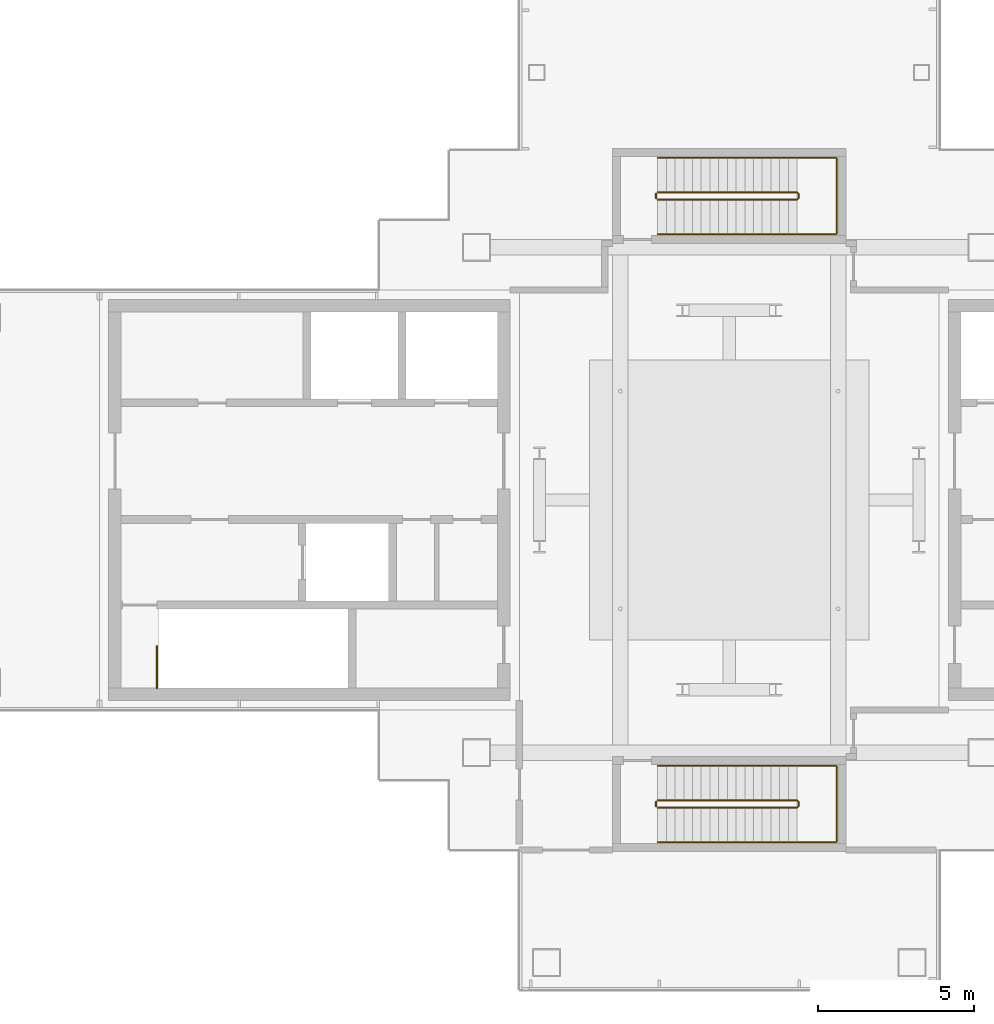
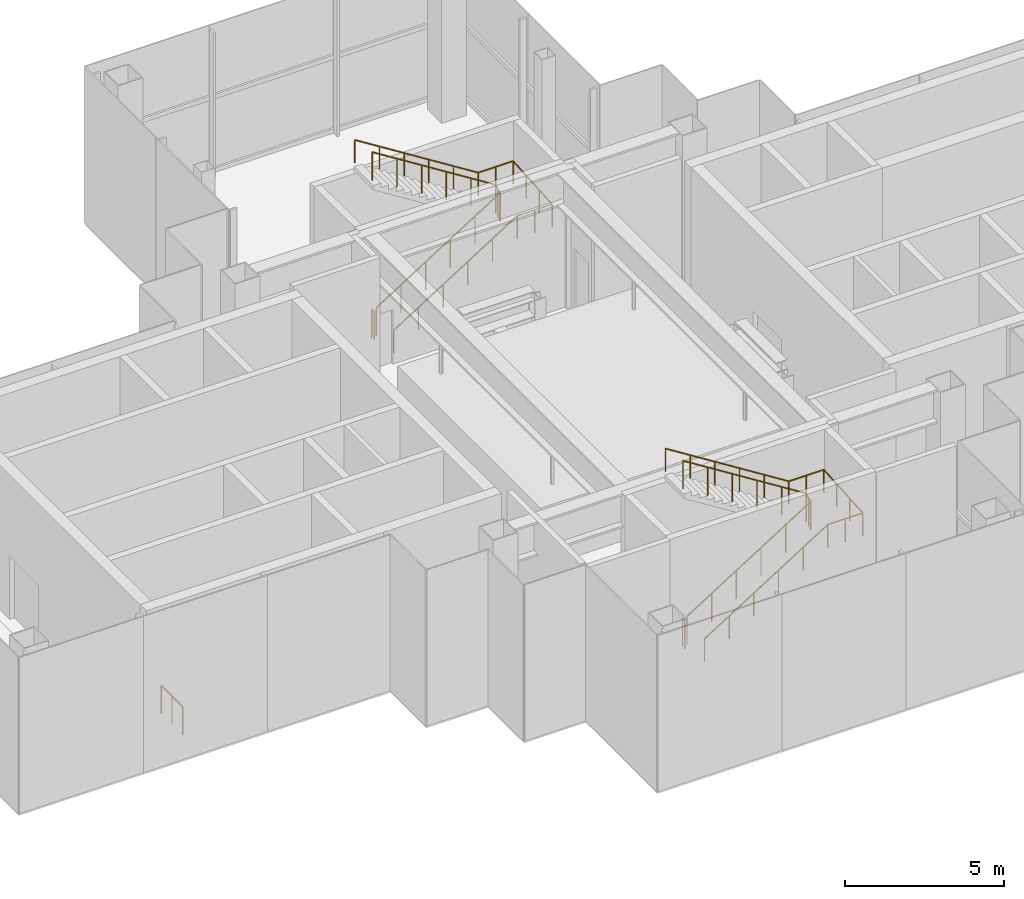
# One storey, part 14 of 17: 7 railings.
"""IFC4 building model written with IfcOpenShell, lengths in metres."""

from ifc_helpers import new_model, si_unit, direction, frame, origin, origin_2d, place, context, subcontext, project, spatial, circle, extrude, material, type_object, element, save


model = new_model("IFC4")

# Units and contexts
model_context = context("Model", 3, precision=1e-05, world=origin(), true_north=direction((0.0, 1.0)))
body_context = subcontext(model_context, "Body", "Model", "MODEL_VIEW")
ifc_project = project(units=[si_unit("LENGTHUNIT", "METRE"), si_unit("AREAUNIT", "SQUARE_METRE"), si_unit("VOLUMEUNIT", "CUBIC_METRE"), si_unit("PLANEANGLEUNIT", "RADIAN"), si_unit("MASSUNIT", "GRAM", prefix="KILO")], contexts=[model_context])

# Site, building, storey
site_placement = place(None, origin())
site = spatial("IfcSite", under=ifc_project, at=site_placement, CompositionType="ELEMENT")
building_placement = place(site_placement, origin())
building = spatial("IfcBuilding", under=site, at=building_placement, Name="Shamsa Quay Exchange Towers", CompositionType="ELEMENT")
storey_placement = place(building_placement, frame((0.0, 0.0, 278.300048828125)))
storey = spatial("IfcBuildingStorey", under=building, at=storey_placement, Name="L67", CompositionType="ELEMENT", Elevation=278.300048828125)

# Railings
ifc_material = material(Name="Stainless steel", Category="steel")
railing_type_1 = type_object("IfcRailingType", Name="STAIR GUARD 1100", PredefinedType="GUARDRAIL", material=ifc_material)
railing_1_placement = place(storey_placement, frame((15.35009765625, -6.050048828125, 0.0)))
element("IfcRailing", 1, at=railing_1_placement, inside=storey, type_object=railing_type_1, Name="L67 ST4 top well guard 1", PredefinedType="GUARDRAIL", context=body_context, shape_type="SweptSolid", body=[
    extrude(circle(Radius=0.02392578125, at=origin_2d()), frame((0.0, 0.0, 1.076171875), z_axis=(0.0, 1.0, 0.0), x_axis=(-1.0, 0.0, 0.0)), (0.0, 0.0, 1.0), 1.35009765625),
    extrude(circle(Radius=0.02099609375, at=origin_2d()), origin(), (0.0, 0.0, 1.0), 1.052001953125),
    extrude(circle(Radius=0.02099609375, at=origin_2d()), frame((0.0, 0.675048828125, 0.0)), (0.0, 0.0, 1.0), 1.052001953125),
    extrude(circle(Radius=0.02099609375, at=origin_2d()), frame((0.0, 1.35009765625, 0.0)), (0.0, 0.0, 1.0), 1.052001953125),
])
railing_2_placement = place(storey_placement, frame((31.449951171875, 9.64990234375, 0.176513671875)))
element("IfcRailing", 2, at=railing_2_placement, inside=storey, type_object=railing_type_1, Name="L67 RS3 stair guard 1", PredefinedType="GUARDRAIL", context=body_context, shape_type="SweptSolid", body=[
    extrude(circle(Radius=0.02392578125, at=origin_2d()), frame((0.0, 0.0, 1.076171875), z_axis=(0.845997938375, 0.0, 0.533186166611), x_axis=(0.0, 1.0, 0.0)), (0.0, 0.0, 1.0), 5.29541015625),
    extrude(circle(Radius=0.02392578125, at=origin_2d()), frame((4.47998046875, 0.0, 3.8994140625), z_axis=(0.707106781187, 0.707106781187, 0.0), x_axis=(-0.707106781187, 0.707106781187, 0.0)), (0.0, 0.0, 1.0), 0.07080078125),
    extrude(circle(Radius=0.02392578125, at=origin_2d()), frame((4.530029296875, 0.050048828125, 3.8994140625), z_axis=(0.0, 1.0, 0.0), x_axis=(-1.0, 0.0, 0.0)), (0.0, 0.0, 1.0), 0.150146484375),
    extrude(circle(Radius=0.02392578125, at=origin_2d()), frame((4.530029296875, 0.2001953125, 3.8994140625), z_axis=(-0.263260079301, 0.261975883792, 0.928473352853), x_axis=(-0.705375805398, -0.708833529934, 0.0)), (0.0, 0.0, 1.0), 0.190185546875),
    extrude(circle(Radius=0.02392578125, at=origin_2d()), frame((4.47998046875, 0.25, 4.076171875), z_axis=(-0.845997938375, 0.0, 0.533186166611), x_axis=(0.0, -1.0, 0.0)), (0.0, 0.0, 1.0), 5.29541015625),
    extrude(circle(Radius=0.02099609375, at=origin_2d()), origin(), (0.0, 0.0, 1.0), 1.052001953125),
    extrude(circle(Radius=0.02099609375, at=origin_2d()), frame((0.89599609375, 0.0, 0.564697265625)), (0.0, 0.0, 1.0), 1.052001953125),
    extrude(circle(Radius=0.02099609375, at=origin_2d()), frame((1.7919921875, 0.0, 1.12939453125)), (0.0, 0.0, 1.0), 1.052001953125),
    extrude(circle(Radius=0.02099609375, at=origin_2d()), frame((2.68798828125, 0.0, 1.694091796875)), (0.0, 0.0, 1.0), 1.052001953125),
    extrude(circle(Radius=0.02099609375, at=origin_2d()), frame((3.583984375, 0.0, 2.2587890625)), (0.0, 0.0, 1.0), 1.052001953125),
    extrude(circle(Radius=0.02099609375, at=origin_2d()), frame((4.47998046875, 0.0, 2.823486328125)), (0.0, 0.0, 1.0), 1.052001953125),
    extrude(circle(Radius=0.02099609375, at=origin_2d()), frame((4.530029296875, 0.050048828125, 2.823486328125)), (0.0, 0.0, 1.0), 1.052001953125),
    extrude(circle(Radius=0.02099609375, at=origin_2d()), frame((4.530029296875, 0.2001953125, 2.823486328125)), (0.0, 0.0, 1.0), 1.052001953125),
    extrude(circle(Radius=0.02099609375, at=origin_2d()), frame((4.47998046875, 0.25, 3.0)), (0.0, 0.0, 1.0), 1.052001953125),
    extrude(circle(Radius=0.02099609375, at=origin_2d()), frame((3.583984375, 0.25, 3.564697265625)), (0.0, 0.0, 1.0), 1.052001953125),
    extrude(circle(Radius=0.02099609375, at=origin_2d()), frame((2.68798828125, 0.25, 4.12939453125)), (0.0, 0.0, 1.0), 1.052001953125),
    extrude(circle(Radius=0.02099609375, at=origin_2d()), frame((1.7919921875, 0.25, 4.694091796875)), (0.0, 0.0, 1.0), 1.052001953125),
    extrude(circle(Radius=0.02099609375, at=origin_2d()), frame((0.89599609375, 0.25, 5.2587890625)), (0.0, 0.0, 1.0), 1.052001953125),
    extrude(circle(Radius=0.02099609375, at=origin_2d()), frame((0.0, 0.25, 5.823486328125)), (0.0, 0.0, 1.0), 1.052001953125),
])
railing_3_placement = place(storey_placement, frame((31.39990234375, 9.699951171875, 0.0)))
element("IfcRailing", 3, at=railing_3_placement, inside=storey, type_object=railing_type_1, Name="L67 RS3 stair guard 2", PredefinedType="GUARDRAIL", context=body_context, shape_type="SweptSolid", body=[
    extrude(circle(Radius=0.02392578125, at=origin_2d()), frame((0.0, 0.0, 1.076171875), z_axis=(0.0, 1.0, 0.0), x_axis=(-1.0, 0.0, 0.0)), (0.0, 0.0, 1.0), 0.150146484375),
    extrude(circle(Radius=0.02099609375, at=origin_2d()), origin(), (0.0, 0.0, 1.0), 1.052001953125),
    extrude(circle(Radius=0.02099609375, at=origin_2d()), frame((0.0, 0.150146484375, 0.0)), (0.0, 0.0, 1.0), 1.052001953125),
])
railing_4_placement = place(storey_placement, frame((31.449951171875, -9.89990234375, 0.176513671875)))
element("IfcRailing", 4, at=railing_4_placement, inside=storey, type_object=railing_type_1, Name="L67 RS4 stair guard 1", PredefinedType="GUARDRAIL", context=body_context, shape_type="SweptSolid", body=[
    extrude(circle(Radius=0.02392578125, at=origin_2d()), frame((0.0, 0.0, 1.076171875), z_axis=(0.845997938375, 0.0, 0.533186166611), x_axis=(0.0, 1.0, 0.0)), (0.0, 0.0, 1.0), 5.29541015625),
    extrude(circle(Radius=0.02392578125, at=origin_2d()), frame((4.47998046875, 0.0, 3.8994140625), z_axis=(0.708833529934, 0.705375805398, 0.0), x_axis=(-0.705375805398, 0.708833529934, 0.0)), (0.0, 0.0, 1.0), 0.070556640625),
    extrude(circle(Radius=0.02392578125, at=origin_2d()), frame((4.530029296875, 0.0498046875, 3.8994140625), z_axis=(0.0, 1.0, 0.0), x_axis=(-1.0, 0.0, 0.0)), (0.0, 0.0, 1.0), 0.150146484375),
    extrude(circle(Radius=0.02392578125, at=origin_2d()), frame((4.530029296875, 0.199951171875, 3.8994140625), z_axis=(-0.263171338983, 0.263171338983, 0.928160380902), x_axis=(-0.707106781187, -0.707106781187, 0.0)), (0.0, 0.0, 1.0), 0.190185546875),
    extrude(circle(Radius=0.02392578125, at=origin_2d()), frame((4.47998046875, 0.25, 4.076171875), z_axis=(-0.845997938375, 0.0, 0.533186166611), x_axis=(0.0, -1.0, 0.0)), (0.0, 0.0, 1.0), 5.29541015625),
    extrude(circle(Radius=0.02099609375, at=origin_2d()), origin(), (0.0, 0.0, 1.0), 1.052001953125),
    extrude(circle(Radius=0.02099609375, at=origin_2d()), frame((0.89599609375, 0.0, 0.564697265625)), (0.0, 0.0, 1.0), 1.052001953125),
    extrude(circle(Radius=0.02099609375, at=origin_2d()), frame((1.7919921875, 0.0, 1.12939453125)), (0.0, 0.0, 1.0), 1.052001953125),
    extrude(circle(Radius=0.02099609375, at=origin_2d()), frame((2.68798828125, 0.0, 1.694091796875)), (0.0, 0.0, 1.0), 1.052001953125),
    extrude(circle(Radius=0.02099609375, at=origin_2d()), frame((3.583984375, 0.0, 2.2587890625)), (0.0, 0.0, 1.0), 1.052001953125),
    extrude(circle(Radius=0.02099609375, at=origin_2d()), frame((4.47998046875, 0.0, 2.823486328125)), (0.0, 0.0, 1.0), 1.052001953125),
    extrude(circle(Radius=0.02099609375, at=origin_2d()), frame((4.530029296875, 0.0498046875, 2.823486328125)), (0.0, 0.0, 1.0), 1.052001953125),
    extrude(circle(Radius=0.02099609375, at=origin_2d()), frame((4.530029296875, 0.199951171875, 2.823486328125)), (0.0, 0.0, 1.0), 1.052001953125),
    extrude(circle(Radius=0.02099609375, at=origin_2d()), frame((4.47998046875, 0.25, 3.0)), (0.0, 0.0, 1.0), 1.052001953125),
    extrude(circle(Radius=0.02099609375, at=origin_2d()), frame((3.583984375, 0.25, 3.564697265625)), (0.0, 0.0, 1.0), 1.052001953125),
    extrude(circle(Radius=0.02099609375, at=origin_2d()), frame((2.68798828125, 0.25, 4.12939453125)), (0.0, 0.0, 1.0), 1.052001953125),
    extrude(circle(Radius=0.02099609375, at=origin_2d()), frame((1.7919921875, 0.25, 4.694091796875)), (0.0, 0.0, 1.0), 1.052001953125),
    extrude(circle(Radius=0.02099609375, at=origin_2d()), frame((0.89599609375, 0.25, 5.2587890625)), (0.0, 0.0, 1.0), 1.052001953125),
    extrude(circle(Radius=0.02099609375, at=origin_2d()), frame((0.0, 0.25, 5.823486328125)), (0.0, 0.0, 1.0), 1.052001953125),
])
railing_5_placement = place(storey_placement, frame((31.39990234375, -9.85009765625, 0.0)))
element("IfcRailing", 5, at=railing_5_placement, inside=storey, type_object=railing_type_1, Name="L67 RS4 stair guard 2", PredefinedType="GUARDRAIL", context=body_context, shape_type="SweptSolid", body=[
    extrude(circle(Radius=0.02392578125, at=origin_2d()), frame((0.0, 0.0, 1.076171875), z_axis=(0.0, 1.0, 0.0), x_axis=(-1.0, 0.0, 0.0)), (0.0, 0.0, 1.0), 0.150146484375),
    extrude(circle(Radius=0.02099609375, at=origin_2d()), origin(), (0.0, 0.0, 1.0), 1.052001953125),
    extrude(circle(Radius=0.02099609375, at=origin_2d()), frame((0.0, 0.150146484375, 0.0)), (0.0, 0.0, 1.0), 1.052001953125),
])
railing_type_2 = type_object("IfcRailingType", Name="STAIR HANDRAIL 900", PredefinedType="HANDRAIL", material=ifc_material)
railing_6_placement = place(storey_placement, frame((31.449951171875, 8.550048828125, 0.176513671875)))
element("IfcRailing", 6, at=railing_6_placement, inside=storey, type_object=railing_type_2, Name="L67 RS3 stair handrail 1", PredefinedType="HANDRAIL", context=body_context, shape_type="SweptSolid", body=[
    extrude(circle(Radius=0.02392578125, at=origin_2d()), frame((0.0, 0.0, 0.8759765625), z_axis=(0.845997938375, 0.0, 0.533186166611), x_axis=(0.0, 1.0, 0.0)), (0.0, 0.0, 1.0), 5.29541015625),
    extrude(circle(Radius=0.02392578125, at=origin_2d()), frame((4.47998046875, 0.0, 3.69921875), z_axis=(1.0, 0.0, 0.0), x_axis=(0.0, 1.0, 0.0)), (0.0, 0.0, 1.0), 1.27001953125),
    extrude(circle(Radius=0.02392578125, at=origin_2d()), frame((5.75, 0.0, 3.69921875), z_axis=(0.0, 0.997414615901, 0.071861561265), x_axis=(-1.0, 0.0, 0.0)), (0.0, 0.0, 1.0), 2.456298828125),
    extrude(circle(Radius=0.02392578125, at=origin_2d()), frame((5.75, 2.449951171875, 3.8759765625), z_axis=(-1.0, 0.0, 0.0), x_axis=(0.0, -1.0, 0.0)), (0.0, 0.0, 1.0), 1.27001953125),
    extrude(circle(Radius=0.02392578125, at=origin_2d()), frame((4.47998046875, 2.449951171875, 3.8759765625), z_axis=(-0.845997938375, 0.0, 0.533186166611), x_axis=(0.0, -1.0, 0.0)), (0.0, 0.0, 1.0), 5.29541015625),
    extrude(circle(Radius=0.02099609375, at=origin_2d()), origin(), (0.0, 0.0, 1.0), 0.851806640625),
    extrude(circle(Radius=0.02099609375, at=origin_2d()), frame((0.89599609375, 0.0, 0.564697265625)), (0.0, 0.0, 1.0), 0.851806640625),
    extrude(circle(Radius=0.02099609375, at=origin_2d()), frame((1.7919921875, 0.0, 1.12939453125)), (0.0, 0.0, 1.0), 0.851806640625),
    extrude(circle(Radius=0.02099609375, at=origin_2d()), frame((2.68798828125, 0.0, 1.694091796875)), (0.0, 0.0, 1.0), 0.851806640625),
    extrude(circle(Radius=0.02099609375, at=origin_2d()), frame((3.583984375, 0.0, 2.2587890625)), (0.0, 0.0, 1.0), 0.851806640625),
    extrude(circle(Radius=0.02099609375, at=origin_2d()), frame((4.47998046875, 0.0, 2.823486328125)), (0.0, 0.0, 1.0), 0.851806640625),
    extrude(circle(Radius=0.02099609375, at=origin_2d()), frame((5.114990234375, 0.0, 2.823486328125)), (0.0, 0.0, 1.0), 0.851806640625),
    extrude(circle(Radius=0.02099609375, at=origin_2d()), frame((5.75, 0.0, 2.823486328125)), (0.0, 0.0, 1.0), 0.851806640625),
    extrude(circle(Radius=0.02099609375, at=origin_2d()), frame((5.75, 0.816650390625, 2.88232421875)), (0.0, 0.0, 1.0), 0.851806640625),
    extrude(circle(Radius=0.02099609375, at=origin_2d()), frame((5.75, 1.63330078125, 2.941162109375)), (0.0, 0.0, 1.0), 0.851806640625),
    extrude(circle(Radius=0.02099609375, at=origin_2d()), frame((5.75, 2.449951171875, 3.0)), (0.0, 0.0, 1.0), 0.851806640625),
    extrude(circle(Radius=0.02099609375, at=origin_2d()), frame((5.114990234375, 2.449951171875, 3.0)), (0.0, 0.0, 1.0), 0.851806640625),
    extrude(circle(Radius=0.02099609375, at=origin_2d()), frame((4.47998046875, 2.449951171875, 3.0)), (0.0, 0.0, 1.0), 0.851806640625),
    extrude(circle(Radius=0.02099609375, at=origin_2d()), frame((3.583984375, 2.449951171875, 3.564697265625)), (0.0, 0.0, 1.0), 0.851806640625),
    extrude(circle(Radius=0.02099609375, at=origin_2d()), frame((2.68798828125, 2.449951171875, 4.12939453125)), (0.0, 0.0, 1.0), 0.851806640625),
    extrude(circle(Radius=0.02099609375, at=origin_2d()), frame((1.7919921875, 2.449951171875, 4.694091796875)), (0.0, 0.0, 1.0), 0.851806640625),
    extrude(circle(Radius=0.02099609375, at=origin_2d()), frame((0.89599609375, 2.449951171875, 5.2587890625)), (0.0, 0.0, 1.0), 0.851806640625),
    extrude(circle(Radius=0.02099609375, at=origin_2d()), frame((0.0, 2.449951171875, 5.823486328125)), (0.0, 0.0, 1.0), 0.851806640625),
])
railing_7_placement = place(storey_placement, frame((31.449951171875, -11.0, 0.176513671875)))
element("IfcRailing", 7, at=railing_7_placement, inside=storey, type_object=railing_type_2, Name="L67 RS4 stair handrail 1", PredefinedType="HANDRAIL", context=body_context, shape_type="SweptSolid", body=[
    extrude(circle(Radius=0.02392578125, at=origin_2d()), frame((0.0, 0.0, 0.8759765625), z_axis=(0.845997938375, 0.0, 0.533186166611), x_axis=(0.0, 1.0, 0.0)), (0.0, 0.0, 1.0), 5.29541015625),
    extrude(circle(Radius=0.02392578125, at=origin_2d()), frame((4.47998046875, 0.0, 3.69921875), z_axis=(1.0, 0.0, 0.0), x_axis=(0.0, 1.0, 0.0)), (0.0, 0.0, 1.0), 1.27001953125),
    extrude(circle(Radius=0.02392578125, at=origin_2d()), frame((5.75, 0.0, 3.69921875), z_axis=(0.0, 0.997414615901, 0.071861561265), x_axis=(-1.0, 0.0, 0.0)), (0.0, 0.0, 1.0), 2.456298828125),
    extrude(circle(Radius=0.02392578125, at=origin_2d()), frame((5.75, 2.449951171875, 3.8759765625), z_axis=(-1.0, 0.0, 0.0), x_axis=(0.0, -1.0, 0.0)), (0.0, 0.0, 1.0), 1.27001953125),
    extrude(circle(Radius=0.02392578125, at=origin_2d()), frame((4.47998046875, 2.449951171875, 3.8759765625), z_axis=(-0.845997938375, 0.0, 0.533186166611), x_axis=(0.0, -1.0, 0.0)), (0.0, 0.0, 1.0), 5.29541015625),
    extrude(circle(Radius=0.02099609375, at=origin_2d()), origin(), (0.0, 0.0, 1.0), 0.851806640625),
    extrude(circle(Radius=0.02099609375, at=origin_2d()), frame((0.89599609375, 0.0, 0.564697265625)), (0.0, 0.0, 1.0), 0.851806640625),
    extrude(circle(Radius=0.02099609375, at=origin_2d()), frame((1.7919921875, 0.0, 1.12939453125)), (0.0, 0.0, 1.0), 0.851806640625),
    extrude(circle(Radius=0.02099609375, at=origin_2d()), frame((2.68798828125, 0.0, 1.694091796875)), (0.0, 0.0, 1.0), 0.851806640625),
    extrude(circle(Radius=0.02099609375, at=origin_2d()), frame((3.583984375, 0.0, 2.2587890625)), (0.0, 0.0, 1.0), 0.851806640625),
    extrude(circle(Radius=0.02099609375, at=origin_2d()), frame((4.47998046875, 0.0, 2.823486328125)), (0.0, 0.0, 1.0), 0.851806640625),
    extrude(circle(Radius=0.02099609375, at=origin_2d()), frame((5.114990234375, 0.0, 2.823486328125)), (0.0, 0.0, 1.0), 0.851806640625),
    extrude(circle(Radius=0.02099609375, at=origin_2d()), frame((5.75, 0.0, 2.823486328125)), (0.0, 0.0, 1.0), 0.851806640625),
    extrude(circle(Radius=0.02099609375, at=origin_2d()), frame((5.75, 0.816650390625, 2.88232421875)), (0.0, 0.0, 1.0), 0.851806640625),
    extrude(circle(Radius=0.02099609375, at=origin_2d()), frame((5.75, 1.63330078125, 2.941162109375)), (0.0, 0.0, 1.0), 0.851806640625),
    extrude(circle(Radius=0.02099609375, at=origin_2d()), frame((5.75, 2.449951171875, 3.0)), (0.0, 0.0, 1.0), 0.851806640625),
    extrude(circle(Radius=0.02099609375, at=origin_2d()), frame((5.114990234375, 2.449951171875, 3.0)), (0.0, 0.0, 1.0), 0.851806640625),
    extrude(circle(Radius=0.02099609375, at=origin_2d()), frame((4.47998046875, 2.449951171875, 3.0)), (0.0, 0.0, 1.0), 0.851806640625),
    extrude(circle(Radius=0.02099609375, at=origin_2d()), frame((3.583984375, 2.449951171875, 3.564697265625)), (0.0, 0.0, 1.0), 0.851806640625),
    extrude(circle(Radius=0.02099609375, at=origin_2d()), frame((2.68798828125, 2.449951171875, 4.12939453125)), (0.0, 0.0, 1.0), 0.851806640625),
    extrude(circle(Radius=0.02099609375, at=origin_2d()), frame((1.7919921875, 2.449951171875, 4.694091796875)), (0.0, 0.0, 1.0), 0.851806640625),
    extrude(circle(Radius=0.02099609375, at=origin_2d()), frame((0.89599609375, 2.449951171875, 5.2587890625)), (0.0, 0.0, 1.0), 0.851806640625),
    extrude(circle(Radius=0.02099609375, at=origin_2d()), frame((0.0, 2.449951171875, 5.823486328125)), (0.0, 0.0, 1.0), 0.851806640625),
])

save(model, "model.ifc")
